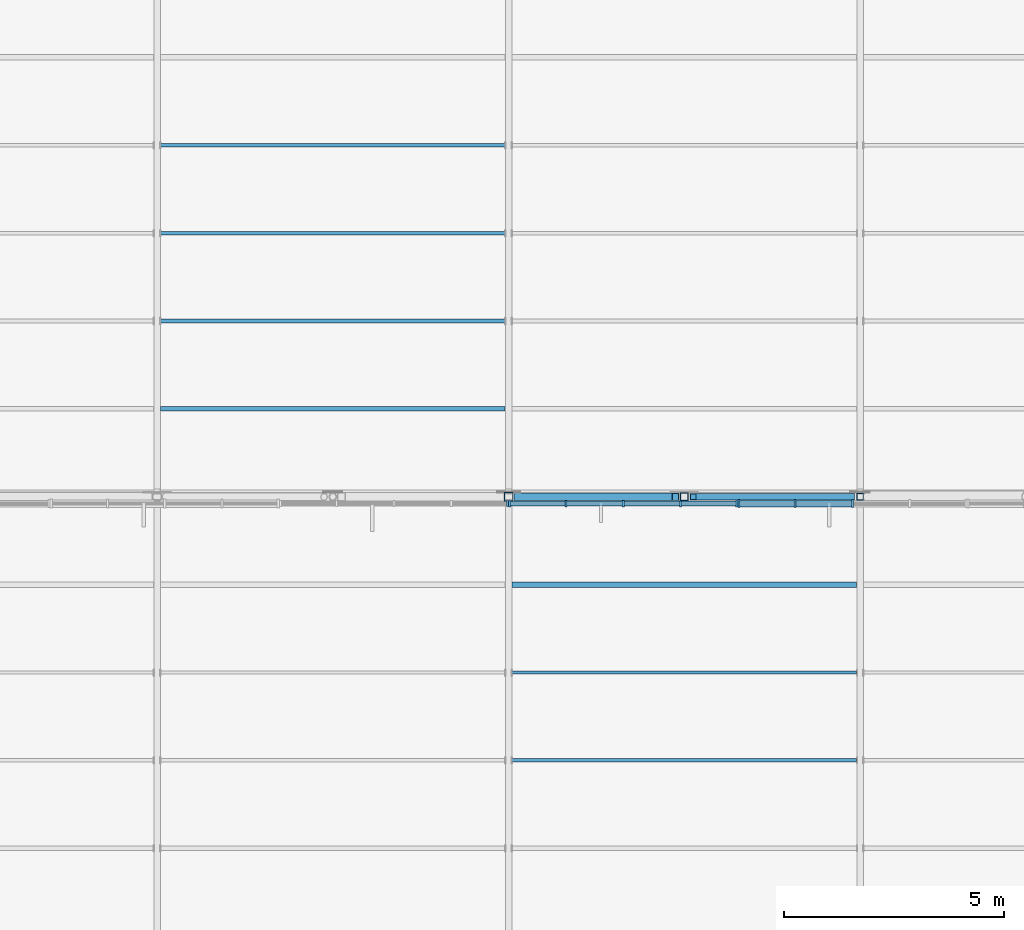
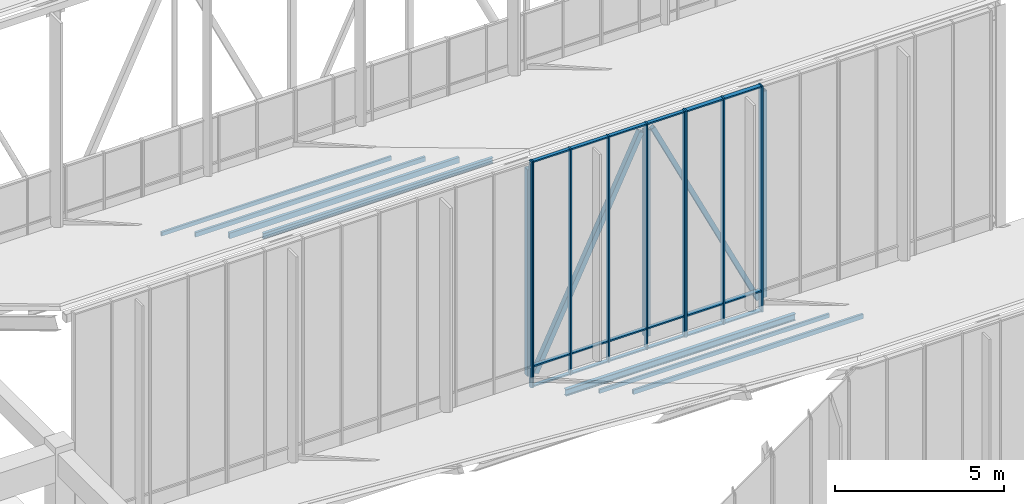
# One storey, part 55 of 155: 39 members, 3 elements without a shape of their own.
"""IFC4 building model written with IfcOpenShell, lengths in metres."""

from ifc_helpers import new_model, si_unit, direction, frame, origin, origin_2d, place, context, subcontext, project, spatial, rectangle, hollow_rectangle, i_section, extrude, material, material_profile, profile_set, type_object, element, aggregate, save


model = new_model("IFC4")

# Units and contexts
model_context = context("Model", 3, precision=1e-05, world=origin(), true_north=direction((0.0, 1.0)))
body_context = subcontext(model_context, "Body", "Model", "MODEL_VIEW")
ifc_project = project(units=[si_unit("LENGTHUNIT", "METRE"), si_unit("AREAUNIT", "SQUARE_METRE"), si_unit("VOLUMEUNIT", "CUBIC_METRE"), si_unit("PLANEANGLEUNIT", "RADIAN"), si_unit("MASSUNIT", "GRAM", prefix="KILO")], contexts=[model_context])

# Site, building, storey
site_placement = place(None, origin())
site = spatial("IfcSite", under=ifc_project, at=site_placement, CompositionType="ELEMENT")
building_placement = place(site_placement, origin())
building = spatial("IfcBuilding", under=site, at=building_placement, Name="Larkveld Mobility Hub", CompositionType="ELEMENT")
storey_placement = place(building_placement, frame((0.0, 0.0, 8.39990234375)))
storey = spatial("IfcBuildingStorey", under=building, at=storey_placement, Name="L02", CompositionType="ELEMENT", Elevation=8.39990234375)

# Curtain wall, members
ifc_material_1 = material(Name="Anodised aluminium 6063-T6", Category="aluminium")
curtain_wall_type_1 = type_object("IfcCurtainWallType", Name="CW-SYS-05", PredefinedType="NOTDEFINED", material=ifc_material_1)
curtain_wall_1_placement = place(storey_placement, origin())
curtain_wall_1 = element("IfcCurtainWall", 1, at=curtain_wall_1_placement, inside=storey, type_object=curtain_wall_type_1, Name="Sawtooth South-Light Clerestory B4 CW-029", PredefinedType="NOTDEFINED")
ifc_material_profile_1 = material_profile(ifc_material_1, rectangle(XDim=0.050048828125, YDim=0.14990234375, at=origin_2d()), Name="ALU MULL 50x150")
ifc_profile_set_1 = profile_set([ifc_material_profile_1], Name="Anodised aluminium 6063-T6")
member_type_1 = type_object("IfcMemberType", Name="CW-MUL-01", PredefinedType="MULLION", material=ifc_profile_set_1)
member_1_placement = place(storey_placement, frame((168.02490234375, 69.844970703125, -0.001953125), z_axis=(0.0, 0.0, 1.0), x_axis=(1.0, 0.0, 0.0)))
member_1 = element("IfcMember", 2, at=member_1_placement, type_object=member_type_1, Name="CW05 mullion 1", PredefinedType="MULLION", context=body_context, shape_type="SweptSolid", body=[
    extrude(rectangle(XDim=0.050048828125, YDim=0.14990234375, at=origin_2d()), origin(), (0.0, 0.0, 1.0), 8.152099609375),
])
member_2_placement = place(storey_placement, frame((169.303955078125, 69.844970703125, -0.001953125), z_axis=(0.0, 0.0, 1.0), x_axis=(1.0, 0.0, 0.0)))
member_2 = element("IfcMember", 3, at=member_2_placement, type_object=member_type_1, Name="CW05 mullion 2", PredefinedType="MULLION", context=body_context, shape_type="SweptSolid", body=[
    extrude(rectangle(XDim=0.050048828125, YDim=0.14990234375, at=origin_2d()), origin(), (0.0, 0.0, 1.0), 8.152099609375),
])
member_3_placement = place(storey_placement, frame((170.60791015625, 69.844970703125, -0.001953125), z_axis=(0.0, 0.0, 1.0), x_axis=(1.0, 0.0, 0.0)))
member_3 = element("IfcMember", 4, at=member_3_placement, type_object=member_type_1, Name="CW05 mullion 3", PredefinedType="MULLION", context=body_context, shape_type="SweptSolid", body=[
    extrude(rectangle(XDim=0.050048828125, YDim=0.14990234375, at=origin_2d()), origin(), (0.0, 0.0, 1.0), 8.152099609375),
])
member_4_placement = place(storey_placement, frame((171.912109375, 69.844970703125, -0.001953125), z_axis=(0.0, 0.0, 1.0), x_axis=(1.0, 0.0, 0.0)))
member_4 = element("IfcMember", 5, at=member_4_placement, type_object=member_type_1, Name="CW05 mullion 4", PredefinedType="MULLION", context=body_context, shape_type="SweptSolid", body=[
    extrude(rectangle(XDim=0.050048828125, YDim=0.14990234375, at=origin_2d()), origin(), (0.0, 0.0, 1.0), 8.152099609375),
])
member_5_placement = place(storey_placement, frame((173.19189453125, 69.844970703125, -0.001953125), z_axis=(0.0, 0.0, 1.0), x_axis=(1.0, 0.0, 0.0)))
member_5 = element("IfcMember", 6, at=member_5_placement, type_object=member_type_1, Name="CW05 mullion 5", PredefinedType="MULLION", context=body_context, shape_type="SweptSolid", body=[
    extrude(rectangle(XDim=0.050048828125, YDim=0.14990234375, at=origin_2d()), origin(), (0.0, 0.0, 1.0), 8.152099609375),
])

curtain_wall_type_2 = type_object("IfcCurtainWallType", Name="CW-SYS-06", PredefinedType="NOTDEFINED", material=ifc_material_1)
curtain_wall_2_placement = place(storey_placement, origin())
curtain_wall_2 = element("IfcCurtainWall", 7, at=curtain_wall_2_placement, inside=storey, type_object=curtain_wall_type_2, Name="Sawtooth South-Light Clerestory B4 CW-030", PredefinedType="NOTDEFINED")
ifc_material_profile_2 = material_profile(ifc_material_1, rectangle(XDim=0.050048828125, YDim=0.179931640625, at=origin_2d()), Name="ALU MULL 50x180")
ifc_profile_set_2 = profile_set([ifc_material_profile_2], Name="Anodised aluminium 6063-T6")
member_type_2 = type_object("IfcMemberType", Name="CW-MUL-02", PredefinedType="MULLION", material=ifc_profile_set_2)
member_6_placement = place(storey_placement, frame((173.241943359375, 69.844970703125, -0.001953125), z_axis=(0.0, 0.0, 1.0), x_axis=(1.0, 0.0, 0.0)))
member_6 = element("IfcMember", 8, at=member_6_placement, type_object=member_type_2, Name="CW06 mullion 1", PredefinedType="MULLION", context=body_context, shape_type="SweptSolid", body=[
    extrude(rectangle(XDim=0.050048828125, YDim=0.179931640625, at=origin_2d()), origin(), (0.0, 0.0, 1.0), 8.152099609375),
])
member_7_placement = place(storey_placement, frame((174.52099609375, 69.844970703125, -0.001953125), z_axis=(0.0, 0.0, 1.0), x_axis=(1.0, 0.0, 0.0)))
member_7 = element("IfcMember", 9, at=member_7_placement, type_object=member_type_2, Name="CW06 mullion 2", PredefinedType="MULLION", context=body_context, shape_type="SweptSolid", body=[
    extrude(rectangle(XDim=0.050048828125, YDim=0.179931640625, at=origin_2d()), origin(), (0.0, 0.0, 1.0), 8.152099609375),
])
member_8_placement = place(storey_placement, frame((175.824951171875, 69.844970703125, -0.001953125), z_axis=(0.0, 0.0, 1.0), x_axis=(1.0, 0.0, 0.0)))
member_8 = element("IfcMember", 10, at=member_8_placement, type_object=member_type_2, Name="CW06 mullion 3", PredefinedType="MULLION", context=body_context, shape_type="SweptSolid", body=[
    extrude(rectangle(XDim=0.050048828125, YDim=0.179931640625, at=origin_2d()), origin(), (0.0, 0.0, 1.0), 8.152099609375),
])

# Curtain wall, member
curtain_wall_type_3 = type_object("IfcCurtainWallType", Name="CW-SYS-04", PredefinedType="NOTDEFINED", material=ifc_material_1)
curtain_wall_3_placement = place(storey_placement, origin())
curtain_wall_3 = element("IfcCurtainWall", 11, at=curtain_wall_3_placement, inside=storey, type_object=curtain_wall_type_3, Name="Sawtooth South-Light Clerestory B4 CW-028", PredefinedType="NOTDEFINED")
ifc_material_profile_3 = material_profile(ifc_material_1, rectangle(XDim=0.050048828125, YDim=0.1298828125, at=origin_2d()), Name="ALU MULL 50x130")
ifc_profile_set_3 = profile_set([ifc_material_profile_3], Name="Anodised aluminium 6063-T6")
member_type_3 = type_object("IfcMemberType", Name="CW-MUL-04", PredefinedType="MULLION", material=ifc_profile_set_3)
member_9_placement = place(storey_placement, frame((167.97509765625, 69.844970703125, -0.001953125), z_axis=(0.0, 0.0, 1.0), x_axis=(1.0, 0.0, 0.0)))
member_9 = element("IfcMember", 12, at=member_9_placement, type_object=member_type_3, Name="CW04 mullion 5", PredefinedType="MULLION", context=body_context, shape_type="SweptSolid", body=[
    extrude(rectangle(XDim=0.050048828125, YDim=0.1298828125, at=origin_2d()), origin(), (0.0, 0.0, 1.0), 8.152099609375),
])
aggregate(curtain_wall_3, [member_9])

# Member
ifc_material_profile_4 = material_profile(ifc_material_1, rectangle(XDim=0.1201171875, YDim=0.050048828125, at=origin_2d()), Name="ALU TRAN 50x120")
ifc_profile_set_4 = profile_set([ifc_material_profile_4], Name="Anodised aluminium 6063-T6")
member_type_4 = type_object("IfcMemberType", Name="CW-TRN-01", PredefinedType="USERDEFINED", material=ifc_profile_set_4)
member_10_placement = place(storey_placement, frame((168.034912109375, 69.844970703125, 0.030029296875), z_axis=(1.0, 0.0, 0.0), x_axis=(0.0, 1.0, 0.0)))
member_10 = element("IfcMember", 13, at=member_10_placement, type_object=member_type_4, Name="CW05 transom 1.1", ObjectType="TRANSOM", PredefinedType="USERDEFINED", context=body_context, shape_type="SweptSolid", body=[
    extrude(rectangle(XDim=0.1201171875, YDim=0.050048828125, at=origin_2d()), origin(), (0.0, 0.0, 1.0), 1.254150390625),
])

member_11_placement = place(storey_placement, frame((168.034912109375, 69.844970703125, 0.75), z_axis=(1.0, 0.0, 0.0), x_axis=(0.0, 1.0, 0.0)))
member_11 = element("IfcMember", 14, at=member_11_placement, type_object=member_type_4, Name="CW05 transom 1.2", ObjectType="TRANSOM", PredefinedType="USERDEFINED", context=body_context, shape_type="SweptSolid", body=[
    extrude(rectangle(XDim=0.1201171875, YDim=0.050048828125, at=origin_2d()), origin(), (0.0, 0.0, 1.0), 1.254150390625),
])

member_12_placement = place(storey_placement, frame((168.034912109375, 69.844970703125, 8.1181640625), z_axis=(1.0, 0.0, 0.0), x_axis=(0.0, 1.0, 0.0)))
member_12 = element("IfcMember", 15, at=member_12_placement, type_object=member_type_4, Name="CW05 transom 1.3", ObjectType="TRANSOM", PredefinedType="USERDEFINED", context=body_context, shape_type="SweptSolid", body=[
    extrude(rectangle(XDim=0.1201171875, YDim=0.050048828125, at=origin_2d()), origin(), (0.0, 0.0, 1.0), 1.254150390625),
])

member_13_placement = place(storey_placement, frame((169.319091796875, 69.844970703125, 0.030029296875), z_axis=(1.0, 0.0, 0.0), x_axis=(0.0, 1.0, 0.0)))
member_13 = element("IfcMember", 16, at=member_13_placement, type_object=member_type_4, Name="CW05 transom 2.1", ObjectType="TRANSOM", PredefinedType="USERDEFINED", context=body_context, shape_type="SweptSolid", body=[
    extrude(rectangle(XDim=0.1201171875, YDim=0.050048828125, at=origin_2d()), origin(), (0.0, 0.0, 1.0), 1.27392578125),
])

member_14_placement = place(storey_placement, frame((169.319091796875, 69.844970703125, 0.75), z_axis=(1.0, 0.0, 0.0), x_axis=(0.0, 1.0, 0.0)))
member_14 = element("IfcMember", 17, at=member_14_placement, type_object=member_type_4, Name="CW05 transom 2.2", ObjectType="TRANSOM", PredefinedType="USERDEFINED", context=body_context, shape_type="SweptSolid", body=[
    extrude(rectangle(XDim=0.1201171875, YDim=0.050048828125, at=origin_2d()), origin(), (0.0, 0.0, 1.0), 1.27392578125),
])

member_15_placement = place(storey_placement, frame((169.319091796875, 69.844970703125, 8.1181640625), z_axis=(1.0, 0.0, 0.0), x_axis=(0.0, 1.0, 0.0)))
member_15 = element("IfcMember", 18, at=member_15_placement, type_object=member_type_4, Name="CW05 transom 2.3", ObjectType="TRANSOM", PredefinedType="USERDEFINED", context=body_context, shape_type="SweptSolid", body=[
    extrude(rectangle(XDim=0.1201171875, YDim=0.050048828125, at=origin_2d()), origin(), (0.0, 0.0, 1.0), 1.27392578125),
])

member_16_placement = place(storey_placement, frame((170.623046875, 69.844970703125, 0.030029296875), z_axis=(1.0, 0.0, 0.0), x_axis=(0.0, 1.0, 0.0)))
member_16 = element("IfcMember", 19, at=member_16_placement, type_object=member_type_4, Name="CW05 transom 3.1", ObjectType="TRANSOM", PredefinedType="USERDEFINED", context=body_context, shape_type="SweptSolid", body=[
    extrude(rectangle(XDim=0.1201171875, YDim=0.050048828125, at=origin_2d()), origin(), (0.0, 0.0, 1.0), 1.27490234375),
])

member_17_placement = place(storey_placement, frame((170.623046875, 69.844970703125, 0.75), z_axis=(1.0, 0.0, 0.0), x_axis=(0.0, 1.0, 0.0)))
member_17 = element("IfcMember", 20, at=member_17_placement, type_object=member_type_4, Name="CW05 transom 3.2", ObjectType="TRANSOM", PredefinedType="USERDEFINED", context=body_context, shape_type="SweptSolid", body=[
    extrude(rectangle(XDim=0.1201171875, YDim=0.050048828125, at=origin_2d()), origin(), (0.0, 0.0, 1.0), 1.27490234375),
])

member_18_placement = place(storey_placement, frame((170.623046875, 69.844970703125, 8.1181640625), z_axis=(1.0, 0.0, 0.0), x_axis=(0.0, 1.0, 0.0)))
member_18 = element("IfcMember", 21, at=member_18_placement, type_object=member_type_4, Name="CW05 transom 3.3", ObjectType="TRANSOM", PredefinedType="USERDEFINED", context=body_context, shape_type="SweptSolid", body=[
    extrude(rectangle(XDim=0.1201171875, YDim=0.050048828125, at=origin_2d()), origin(), (0.0, 0.0, 1.0), 1.27490234375),
])

member_19_placement = place(storey_placement, frame((171.927978515625, 69.844970703125, 0.030029296875), z_axis=(1.0, 0.0, 0.0), x_axis=(0.0, 1.0, 0.0)))
member_19 = element("IfcMember", 22, at=member_19_placement, type_object=member_type_4, Name="CW05 transom 4.1", ObjectType="TRANSOM", PredefinedType="USERDEFINED", context=body_context, shape_type="SweptSolid", body=[
    extrude(rectangle(XDim=0.1201171875, YDim=0.050048828125, at=origin_2d()), origin(), (0.0, 0.0, 1.0), 1.25390625),
])

member_20_placement = place(storey_placement, frame((171.927978515625, 69.844970703125, 0.75), z_axis=(1.0, 0.0, 0.0), x_axis=(0.0, 1.0, 0.0)))
member_20 = element("IfcMember", 23, at=member_20_placement, type_object=member_type_4, Name="CW05 transom 4.2", ObjectType="TRANSOM", PredefinedType="USERDEFINED", context=body_context, shape_type="SweptSolid", body=[
    extrude(rectangle(XDim=0.1201171875, YDim=0.050048828125, at=origin_2d()), origin(), (0.0, 0.0, 1.0), 1.25390625),
])

member_21_placement = place(storey_placement, frame((171.927978515625, 69.844970703125, 8.1181640625), z_axis=(1.0, 0.0, 0.0), x_axis=(0.0, 1.0, 0.0)))
member_21 = element("IfcMember", 24, at=member_21_placement, type_object=member_type_4, Name="CW05 transom 4.3", ObjectType="TRANSOM", PredefinedType="USERDEFINED", context=body_context, shape_type="SweptSolid", body=[
    extrude(rectangle(XDim=0.1201171875, YDim=0.050048828125, at=origin_2d()), origin(), (0.0, 0.0, 1.0), 1.25390625),
])

aggregate(curtain_wall_1, [member_1, member_2, member_3, member_4, member_5, member_10, member_11, member_12, member_13, member_14, member_15, member_16, member_17, member_18, member_19, member_20, member_21])

ifc_material_profile_5 = material_profile(ifc_material_1, rectangle(XDim=0.14990234375, YDim=0.050048828125, at=origin_2d()), Name="ALU TRAN 50x150")
ifc_profile_set_5 = profile_set([ifc_material_profile_5], Name="Anodised aluminium 6063-T6")
member_type_5 = type_object("IfcMemberType", Name="CW-TRN-02", PredefinedType="USERDEFINED", material=ifc_profile_set_5)
member_22_placement = place(storey_placement, frame((173.251953125, 69.844970703125, 0.030029296875), z_axis=(1.0, 0.0, 0.0), x_axis=(0.0, 1.0, 0.0)))
member_22 = element("IfcMember", 25, at=member_22_placement, type_object=member_type_5, Name="CW06 transom 1.1", ObjectType="TRANSOM", PredefinedType="USERDEFINED", context=body_context, shape_type="SweptSolid", body=[
    extrude(rectangle(XDim=0.14990234375, YDim=0.050048828125, at=origin_2d()), origin(), (0.0, 0.0, 1.0), 1.254150390625),
])

member_23_placement = place(storey_placement, frame((173.251953125, 69.844970703125, 0.75), z_axis=(1.0, 0.0, 0.0), x_axis=(0.0, 1.0, 0.0)))
member_23 = element("IfcMember", 26, at=member_23_placement, type_object=member_type_5, Name="CW06 transom 1.2", ObjectType="TRANSOM", PredefinedType="USERDEFINED", context=body_context, shape_type="SweptSolid", body=[
    extrude(rectangle(XDim=0.14990234375, YDim=0.050048828125, at=origin_2d()), origin(), (0.0, 0.0, 1.0), 1.254150390625),
])

member_24_placement = place(storey_placement, frame((173.251953125, 69.844970703125, 8.1181640625), z_axis=(1.0, 0.0, 0.0), x_axis=(0.0, 1.0, 0.0)))
member_24 = element("IfcMember", 27, at=member_24_placement, type_object=member_type_5, Name="CW06 transom 1.3", ObjectType="TRANSOM", PredefinedType="USERDEFINED", context=body_context, shape_type="SweptSolid", body=[
    extrude(rectangle(XDim=0.14990234375, YDim=0.050048828125, at=origin_2d()), origin(), (0.0, 0.0, 1.0), 1.254150390625),
])

member_25_placement = place(storey_placement, frame((174.535888671875, 69.844970703125, 0.030029296875), z_axis=(1.0, 0.0, 0.0), x_axis=(0.0, 1.0, 0.0)))
member_25 = element("IfcMember", 28, at=member_25_placement, type_object=member_type_5, Name="CW06 transom 2.1", ObjectType="TRANSOM", PredefinedType="USERDEFINED", context=body_context, shape_type="SweptSolid", body=[
    extrude(rectangle(XDim=0.14990234375, YDim=0.050048828125, at=origin_2d()), origin(), (0.0, 0.0, 1.0), 1.274169921875),
])

member_26_placement = place(storey_placement, frame((174.535888671875, 69.844970703125, 0.75), z_axis=(1.0, 0.0, 0.0), x_axis=(0.0, 1.0, 0.0)))
member_26 = element("IfcMember", 29, at=member_26_placement, type_object=member_type_5, Name="CW06 transom 2.2", ObjectType="TRANSOM", PredefinedType="USERDEFINED", context=body_context, shape_type="SweptSolid", body=[
    extrude(rectangle(XDim=0.14990234375, YDim=0.050048828125, at=origin_2d()), origin(), (0.0, 0.0, 1.0), 1.274169921875),
])

member_27_placement = place(storey_placement, frame((174.535888671875, 69.844970703125, 8.1181640625), z_axis=(1.0, 0.0, 0.0), x_axis=(0.0, 1.0, 0.0)))
member_27 = element("IfcMember", 30, at=member_27_placement, type_object=member_type_5, Name="CW06 transom 2.3", ObjectType="TRANSOM", PredefinedType="USERDEFINED", context=body_context, shape_type="SweptSolid", body=[
    extrude(rectangle(XDim=0.14990234375, YDim=0.050048828125, at=origin_2d()), origin(), (0.0, 0.0, 1.0), 1.274169921875),
])

aggregate(curtain_wall_2, [member_6, member_7, member_8, member_22, member_23, member_24, member_25, member_26, member_27])

# Members
ifc_material_2 = material(Name="Steel S355JR", Category="steel")
ifc_material_profile_6 = material_profile(ifc_material_2, hollow_rectangle(XDim=0.14990234375, YDim=0.14990234375, WallThickness=0.008056640625, at=origin_2d()), Name="SHS 150x150x8")
ifc_profile_set_6 = profile_set([ifc_material_profile_6], Name="Steel S355JR")
member_type_6 = type_object("IfcMemberType", Name="MB-BR-SHS150", PredefinedType="BRACE", material=ifc_profile_set_6)
member_28_placement = place(storey_placement, frame((172.199951171875, 70.0, 7.800048828125), z_axis=(0.435573281392, 0.0, -0.900153273914), x_axis=(0.0, 1.0, 0.0)))
element("IfcMember", 31, at=member_28_placement, inside=storey, type_object=member_type_6, Name="ROOF TRUSS T4 Web Diagonal 6", PredefinedType="BRACE", context=body_context, shape_type="SweptSolid", body=[
    extrude(hollow_rectangle(XDim=0.14990234375, YDim=0.14990234375, WallThickness=0.008056640625, at=origin_2d()), origin(), (0.0, 0.0, 1.0), 8.26513671875),
])
member_29_placement = place(storey_placement, frame((176.0, 70.0, 0.360107421875), z_axis=(0.0, 0.0, 1.0), x_axis=(1.0, 0.0, 0.0)))
element("IfcMember", 32, at=member_29_placement, inside=storey, type_object=member_type_6, Name="ROOF TRUSS T4 Vertical Post 6", PredefinedType="BRACE", context=body_context, shape_type="SweptSolid", body=[
    extrude(hollow_rectangle(XDim=0.14990234375, YDim=0.14990234375, WallThickness=0.008056640625, at=origin_2d()), origin(), (0.0, 0.0, 1.0), 7.43994140625),
])
ifc_material_profile_7 = material_profile(ifc_material_2, hollow_rectangle(XDim=0.179931640625, YDim=0.179931640625, WallThickness=0.010009765625, at=origin_2d()), Name="SHS 180x180x10")
ifc_profile_set_7 = profile_set([ifc_material_profile_7], Name="Steel S355JR")
member_type_7 = type_object("IfcMemberType", Name="MB-BR-SHS180", PredefinedType="BRACE", material=ifc_profile_set_7)
member_30_placement = place(storey_placement, frame((168.199951171875, 70.0, 0.360107421875), z_axis=(0.435573281392, 0.0, 0.900153273914), x_axis=(0.0, 1.0, 0.0)))
element("IfcMember", 33, at=member_30_placement, inside=storey, type_object=member_type_7, Name="ROOF TRUSS T4 Web Diagonal 5", PredefinedType="BRACE", context=body_context, shape_type="SweptSolid", body=[
    extrude(hollow_rectangle(XDim=0.179931640625, YDim=0.179931640625, WallThickness=0.010009765625, at=origin_2d()), origin(), (0.0, 0.0, 1.0), 8.26513671875),
])
member_31_placement = place(storey_placement, frame((172.0, 70.0, 0.360107421875), z_axis=(0.0, 0.0, 1.0), x_axis=(1.0, 0.0, 0.0)))
element("IfcMember", 34, at=member_31_placement, inside=storey, type_object=member_type_7, Name="ROOF TRUSS T4 Vertical Post 5", PredefinedType="BRACE", context=body_context, shape_type="SweptSolid", body=[
    extrude(hollow_rectangle(XDim=0.179931640625, YDim=0.179931640625, WallThickness=0.010009765625, at=origin_2d()), origin(), (0.0, 0.0, 1.0), 7.43994140625),
])
ifc_material_profile_8 = material_profile(ifc_material_2, hollow_rectangle(XDim=0.199951171875, YDim=0.199951171875, WallThickness=0.010009765625, at=origin_2d()), Name="SHS 200x200x10")
ifc_profile_set_8 = profile_set([ifc_material_profile_8], Name="Steel S355JR")
member_type_8 = type_object("IfcMemberType", Name="MB-BR-SHS200", PredefinedType="BRACE", material=ifc_profile_set_8)
member_32_placement = place(storey_placement, frame((168.0, 70.0, 0.360107421875), z_axis=(0.0, 0.0, 1.0), x_axis=(1.0, 0.0, 0.0)))
element("IfcMember", 35, at=member_32_placement, inside=storey, type_object=member_type_8, Name="ROOF TRUSS T4 Vertical Post 4", PredefinedType="BRACE", context=body_context, shape_type="SweptSolid", body=[
    extrude(hollow_rectangle(XDim=0.199951171875, YDim=0.199951171875, WallThickness=0.010009765625, at=origin_2d()), origin(), (0.0, 0.0, 1.0), 7.43994140625),
])
ifc_material_profile_9 = material_profile(ifc_material_2, i_section(OverallWidth=0.10009765625, OverallDepth=0.199951171875, WebThickness=0.005615234375, FlangeThickness=0.008544921875, FilletRadius=0.011962890625, at=origin_2d()), Name="IPE 200")
ifc_profile_set_9 = profile_set([ifc_material_profile_9], Name="Steel S355JR")
member_type_9 = type_object("IfcMemberType", Name="MB-PR-IPE200", PredefinedType="PURLIN", material=ifc_profile_set_9)
member_33_placement = place(storey_placement, frame((160.080078125, 72.0, 6.906982421875), z_axis=(1.0, 0.0, 0.0), x_axis=(0.0, 1.0, 0.0)))
element("IfcMember", 36, at=member_33_placement, inside=storey, type_object=member_type_9, Name="Sawtooth Roof Purlin B4-1.2", PredefinedType="PURLIN", context=body_context, shape_type="SweptSolid", body=[
    extrude(i_section(OverallWidth=0.10009765625, OverallDepth=0.199951171875, WebThickness=0.005615234375, FlangeThickness=0.008544921875, FilletRadius=0.011962890625, at=origin_2d()), origin(), (0.0, 0.0, 1.0), 7.83984375),
])
ifc_material_profile_10 = material_profile(ifc_material_2, i_section(OverallWidth=0.1201171875, OverallDepth=0.239990234375, WebThickness=0.006103515625, FlangeThickness=0.009765625, FilletRadius=0.014892578125, at=origin_2d()), Name="IPE 240")
ifc_profile_set_10 = profile_set([ifc_material_profile_10], Name="Steel S355JR")
member_type_10 = type_object("IfcMemberType", Name="MB-PR-IPE240", PredefinedType="PURLIN", material=ifc_profile_set_10)
member_34_placement = place(storey_placement, frame((168.080078125, 68.0, 0.88720703125), z_axis=(1.0, 0.0, 0.0), x_axis=(0.0, 1.0, 0.0)))
element("IfcMember", 37, at=member_34_placement, inside=storey, type_object=member_type_10, Name="Sawtooth Roof Purlin B3-6.3", PredefinedType="PURLIN", context=body_context, shape_type="SweptSolid", body=[
    extrude(i_section(OverallWidth=0.1201171875, OverallDepth=0.239990234375, WebThickness=0.006103515625, FlangeThickness=0.009765625, FilletRadius=0.014892578125, at=origin_2d()), origin(), (0.0, 0.0, 1.0), 7.83984375),
])
ifc_material_profile_11 = material_profile(ifc_material_2, hollow_rectangle(XDim=0.070068359375, YDim=0.139892578125, WallThickness=0.00634765625, at=origin_2d()), Name="RHS 140x70x6.3")
ifc_profile_set_11 = profile_set([ifc_material_profile_11], Name="Steel S355JR")
member_type_11 = type_object("IfcMemberType", Name="MB-PR-RHS140", PredefinedType="PURLIN", material=ifc_profile_set_11)
for number, where, z_axis, x_axis, name in (
    (38, (168.080078125, 66.0, 2.13720703125), (1.0, 0.0, 0.0), (0.0, 1.0, 0.0), "Sawtooth Roof Purlin B3-5.3"),
    (39, (160.080078125, 78.0, 3.337158203125), (1.0, 0.0, 0.0), (0.0, 1.0, 0.0), "Sawtooth Roof Purlin B4-4.2"),
):
    element("IfcMember", number, at=place(storey_placement, frame(where, z_axis=z_axis, x_axis=x_axis)), inside=storey, type_object=member_type_11, Name=name, PredefinedType="PURLIN", context=body_context, shape_type="SweptSolid", body=[
        extrude(hollow_rectangle(XDim=0.070068359375, YDim=0.139892578125, WallThickness=0.00634765625, at=origin_2d()), origin(), (0.0, 0.0, 1.0), 7.83984375),
    ])
ifc_material_profile_12 = material_profile(ifc_material_2, hollow_rectangle(XDim=0.080078125, YDim=0.159912109375, WallThickness=0.008056640625, at=origin_2d()), Name="RHS 160x80x8")
ifc_profile_set_12 = profile_set([ifc_material_profile_12], Name="Steel S355JR")
member_type_12 = type_object("IfcMemberType", Name="MB-PR-RHS160", PredefinedType="PURLIN", material=ifc_profile_set_12)
for number, where, z_axis, x_axis, name in (
    (40, (168.080078125, 64.0, 3.3271484375), (1.0, 0.0, 0.0), (0.0, 1.0, 0.0), "Sawtooth Roof Purlin B3-4.3"),
    (41, (160.080078125, 76.0, 4.527099609375), (1.0, 0.0, 0.0), (0.0, 1.0, 0.0), "Sawtooth Roof Purlin B4-3.2"),
):
    element("IfcMember", number, at=place(storey_placement, frame(where, z_axis=z_axis, x_axis=x_axis)), inside=storey, type_object=member_type_12, Name=name, PredefinedType="PURLIN", context=body_context, shape_type="SweptSolid", body=[
        extrude(hollow_rectangle(XDim=0.080078125, YDim=0.159912109375, WallThickness=0.008056640625, at=origin_2d()), origin(), (0.0, 0.0, 1.0), 7.83984375),
    ])
ifc_material_profile_13 = material_profile(ifc_material_2, hollow_rectangle(XDim=0.10009765625, YDim=0.199951171875, WallThickness=0.008056640625, at=origin_2d()), Name="RHS 200x100x8")
ifc_profile_set_13 = profile_set([ifc_material_profile_13], Name="Steel S355JR")
member_type_13 = type_object("IfcMemberType", Name="MB-PR-RHS200", PredefinedType="PURLIN", material=ifc_profile_set_13)
member_35_placement = place(storey_placement, frame((160.080078125, 74.0, 5.70703125), z_axis=(1.0, 0.0, 0.0), x_axis=(0.0, 1.0, 0.0)))
element("IfcMember", 42, at=member_35_placement, inside=storey, type_object=member_type_13, Name="Sawtooth Roof Purlin B4-2.2", PredefinedType="PURLIN", context=body_context, shape_type="SweptSolid", body=[
    extrude(hollow_rectangle(XDim=0.10009765625, YDim=0.199951171875, WallThickness=0.008056640625, at=origin_2d()), origin(), (0.0, 0.0, 1.0), 7.83984375),
])

save(model, "model.ifc")
